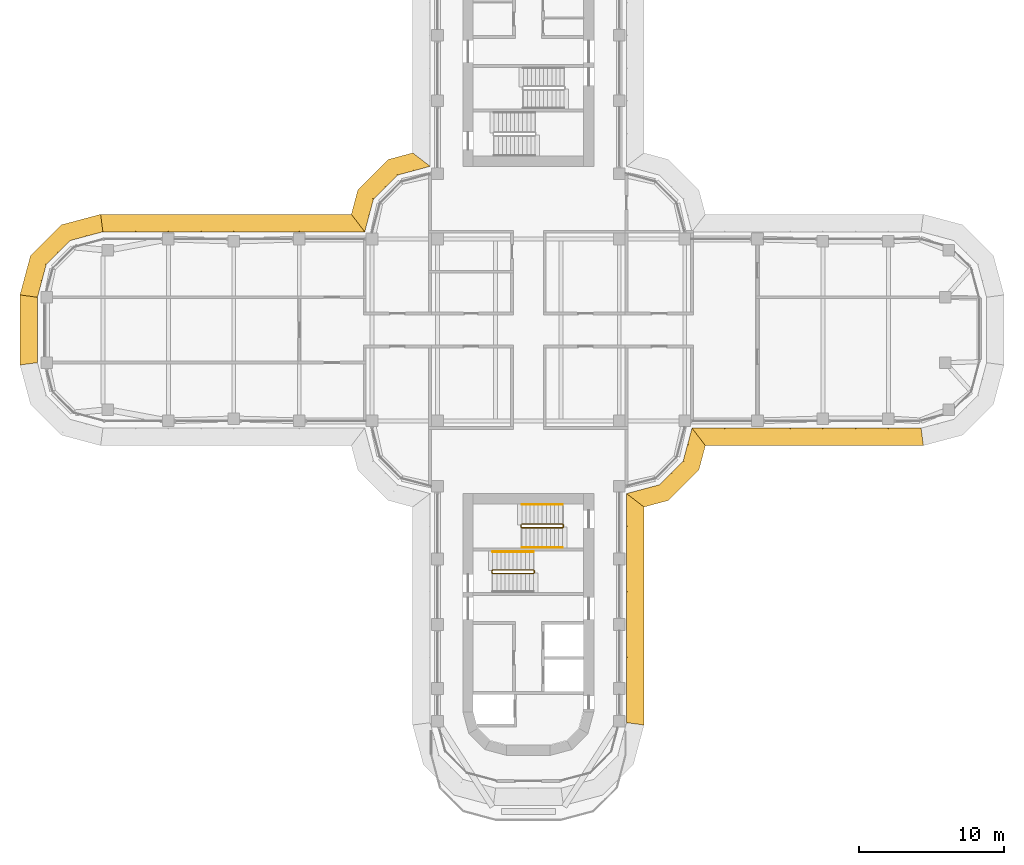
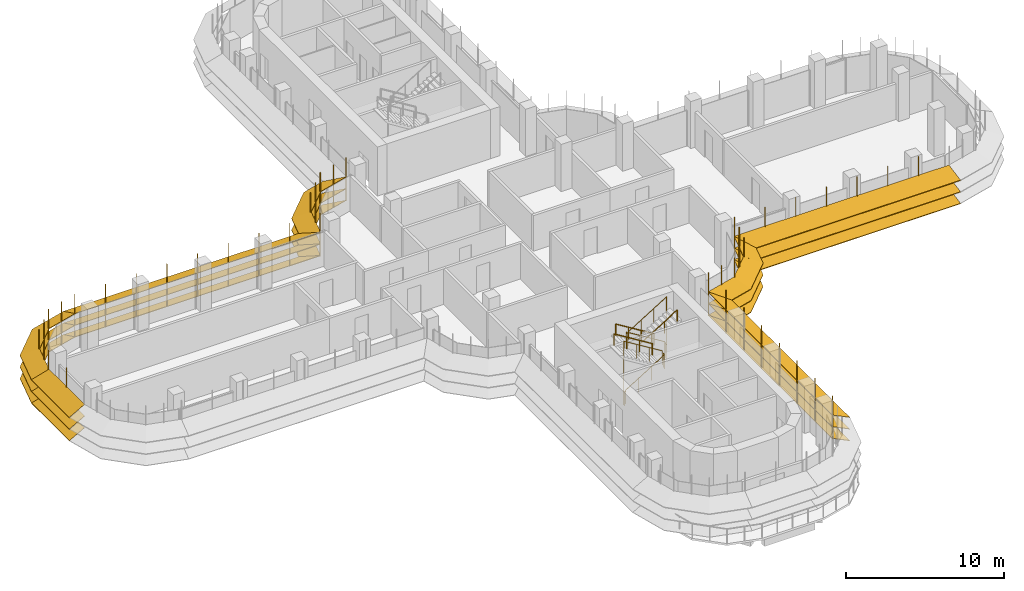
# One storey, part 18 of 20: 7 shading devices, 5 railings.
"""IFC4 building model written with IfcOpenShell, lengths in metres."""

from ifc_helpers import new_model, si_unit, direction, frame, origin, origin_2d, place, context, subcontext, project, spatial, polyline, circle, outline, extrude, faceted_brep, source, transform, mapped, material, type_object, element, save


model = new_model("IFC4")

# Units and contexts
model_context = context("Model", 3, precision=1e-05, world=origin(), true_north=direction((0.0, 1.0)))
body_context = subcontext(model_context, "Body", "Model", "MODEL_VIEW")
ifc_project = project(units=[si_unit("LENGTHUNIT", "METRE"), si_unit("AREAUNIT", "SQUARE_METRE"), si_unit("VOLUMEUNIT", "CUBIC_METRE"), si_unit("PLANEANGLEUNIT", "RADIAN"), si_unit("MASSUNIT", "GRAM", prefix="KILO")], contexts=[model_context])

# Site, building, storey
site_placement = place(None, origin())
site = spatial("IfcSite", under=ifc_project, at=site_placement, CompositionType="ELEMENT")
building_placement = place(site_placement, origin())
building = spatial("IfcBuilding", under=site, at=building_placement, Name="Zarbagh Exchange Tower", CompositionType="ELEMENT")
storey_placement = place(building_placement, frame((0.0, 0.0, 156.199951171875)))
storey = spatial("IfcBuildingStorey", under=building, at=storey_placement, Name="L37", CompositionType="ELEMENT", Elevation=156.199951171875)

# Railings
ifc_material_1 = material(Name="Stainless steel", Category="steel")
railing_type_1 = type_object("IfcRailingType", Name="Stair guard 1100 mm", PredefinedType="GUARDRAIL", material=ifc_material_1)
railing_1_placement = place(storey_placement, frame((0.35009765625, -16.5, 2.07275390625)))
element("IfcRailing", 1, at=railing_1_placement, inside=storey, type_object=railing_type_1, Name="ST3 stair guard 1", PredefinedType="GUARDRAIL", context=body_context, shape_type="SweptSolid", body=[
    extrude(circle(Radius=0.02392578125, at=origin_2d()), frame((0.0, 0.0, 1.076171875), z_axis=(-0.851089632645, 0.0, 0.525020415988), x_axis=(0.0, -1.0, 0.0)), (0.0, 0.0, 1.0), 3.2900390625),
    extrude(circle(Radius=0.02392578125, at=origin_2d()), frame((-2.800048828125, 0.0, 2.80322265625), z_axis=(-0.013168290981, -0.013168290981, -0.999826581076), x_axis=(0.707106781187, -0.707106781187, 0.0)), (0.0, 0.0, 1.0), 3.80078125),
    extrude(circle(Radius=0.02392578125, at=origin_2d()), frame((-2.85009765625, -0.050048828125, -0.99658203125), z_axis=(0.0, -1.0, 0.0), x_axis=(1.0, 0.0, 0.0)), (0.0, 0.0, 1.0), 0.14990234375),
    extrude(circle(Radius=0.02392578125, at=origin_2d()), frame((-2.85009765625, -0.199951171875, -0.99658203125), z_axis=(0.267953482034, -0.267953482034, 0.925419830635), x_axis=(0.707106781187, 0.707106781187, 0.0)), (0.0, 0.0, 1.0), 0.186767578125),
    extrude(circle(Radius=0.02392578125, at=origin_2d()), frame((-2.800048828125, -0.25, -0.82373046875), z_axis=(0.851089632645, 0.0, 0.525020415988), x_axis=(0.0, 1.0, 0.0)), (0.0, 0.0, 1.0), 3.2900390625),
    extrude(circle(Radius=0.02392578125, at=origin_2d()), frame((0.0, -0.25, 0.9033203125), z_axis=(0.705375805398, 0.708833529934, 0.0), x_axis=(-0.708833529934, 0.705375805398, 0.0)), (0.0, 0.0, 1.0), 0.070556640625),
    extrude(circle(Radius=0.02392578125, at=origin_2d()), frame((0.0498046875, -0.199951171875, 0.9033203125), z_axis=(0.0, 1.0, 0.0), x_axis=(-1.0, 0.0, 0.0)), (0.0, 0.0, 1.0), 0.14990234375),
    extrude(circle(Radius=0.02099609375, at=origin_2d()), origin(), (0.0, 0.0, 1.0), 1.052001953125),
    extrude(circle(Radius=0.02099609375, at=origin_2d()), frame((-0.933349609375, 0.0, 0.57568359375)), (0.0, 0.0, 1.0), 1.052001953125),
    extrude(circle(Radius=0.02099609375, at=origin_2d()), frame((-1.86669921875, 0.0, 1.151611328125)), (0.0, 0.0, 1.0), 1.052001953125),
    extrude(circle(Radius=0.02099609375, at=origin_2d()), frame((-2.800048828125, 0.0, 1.727294921875)), (0.0, 0.0, 1.0), 1.052001953125),
    extrude(circle(Radius=0.02099609375, at=origin_2d()), frame((-2.8125, -0.012451171875, 0.77734375)), (0.0, 0.0, 1.0), 1.052001953125),
    extrude(circle(Radius=0.02099609375, at=origin_2d()), frame((-2.8251953125, -0.02490234375, -0.1728515625)), (0.0, 0.0, 1.0), 1.052001953125),
    extrude(circle(Radius=0.02099609375, at=origin_2d()), frame((-2.837646484375, -0.03759765625, -1.122802734375)), (0.0, 0.0, 1.0), 1.052001953125),
    extrude(circle(Radius=0.02099609375, at=origin_2d()), frame((-2.85009765625, -0.050048828125, -2.07275390625)), (0.0, 0.0, 1.0), 1.052001953125),
    extrude(circle(Radius=0.02099609375, at=origin_2d()), frame((-2.85009765625, -0.199951171875, -2.07275390625)), (0.0, 0.0, 1.0), 1.052001953125),
    extrude(circle(Radius=0.02099609375, at=origin_2d()), frame((-2.800048828125, -0.25, -1.89990234375)), (0.0, 0.0, 1.0), 1.052001953125),
    extrude(circle(Radius=0.02099609375, at=origin_2d()), frame((-1.86669921875, -0.25, -1.32421875)), (0.0, 0.0, 1.0), 1.052001953125),
    extrude(circle(Radius=0.02099609375, at=origin_2d()), frame((-0.933349609375, -0.25, -0.748291015625)), (0.0, 0.0, 1.0), 1.052001953125),
    extrude(circle(Radius=0.02099609375, at=origin_2d()), frame((0.0, -0.25, -0.172607421875)), (0.0, 0.0, 1.0), 1.052001953125),
    extrude(circle(Radius=0.02099609375, at=origin_2d()), frame((0.0498046875, -0.199951171875, -0.172607421875)), (0.0, 0.0, 1.0), 1.052001953125),
    extrude(circle(Radius=0.02099609375, at=origin_2d()), frame((0.0498046875, -0.050048828125, -0.172607421875)), (0.0, 0.0, 1.0), 1.052001953125),
])
railing_2_placement = place(storey_placement, frame((-0.5, -13.39990234375, 1.900146484375)))
element("IfcRailing", 2, at=railing_2_placement, inside=storey, type_object=railing_type_1, Name="ST4 stair guard 1", PredefinedType="GUARDRAIL", context=body_context, shape_type="SweptSolid", body=[
    extrude(circle(Radius=0.02392578125, at=origin_2d()), frame((0.0, 0.0, 1.076171875), z_axis=(0.0, -1.0, 0.0), x_axis=(1.0, 0.0, 0.0)), (0.0, 0.0, 1.0), 0.150146484375),
    extrude(circle(Radius=0.02392578125, at=origin_2d()), frame((0.0, -0.150146484375, 1.076171875), z_axis=(0.268277960024, -0.268277960024, 0.925231793839), x_axis=(0.707106781187, 0.707106781187, 0.0)), (0.0, 0.0, 1.0), 0.1865234375),
    extrude(circle(Radius=0.02392578125, at=origin_2d()), frame((0.050048828125, -0.2001953125, 1.24853515625), z_axis=(0.851089632645, 0.0, 0.525020415988), x_axis=(0.0, 1.0, 0.0)), (0.0, 0.0, 1.0), 3.2900390625),
    extrude(circle(Radius=0.02392578125, at=origin_2d()), frame((2.85009765625, -0.2001953125, 2.97607421875), z_axis=(0.013104066473, 0.013168302093, -0.99982742474), x_axis=(-0.708833529934, 0.705375805398, 0.0)), (0.0, 0.0, 1.0), 3.80078125),
    extrude(circle(Radius=0.02392578125, at=origin_2d()), frame((2.89990234375, -0.150146484375, -0.82421875), z_axis=(0.0, 1.0, 0.0), x_axis=(-1.0, 0.0, 0.0)), (0.0, 0.0, 1.0), 0.150146484375),
    extrude(circle(Radius=0.02392578125, at=origin_2d()), frame((2.89990234375, 0.0, -0.82421875), z_axis=(-0.266832911964, 0.266832911964, 0.926067165051), x_axis=(-0.707106781187, -0.707106781187, 0.0)), (0.0, 0.0, 1.0), 0.186767578125),
    extrude(circle(Radius=0.02392578125, at=origin_2d()), frame((2.85009765625, 0.0498046875, -0.6513671875), z_axis=(-0.851089632645, 0.0, 0.525020415988), x_axis=(0.0, -1.0, 0.0)), (0.0, 0.0, 1.0), 3.2900390625),
    extrude(circle(Radius=0.02099609375, at=origin_2d()), origin(), (0.0, 0.0, 1.0), 1.052001953125),
    extrude(circle(Radius=0.02099609375, at=origin_2d()), frame((0.0, -0.150146484375, 0.0)), (0.0, 0.0, 1.0), 1.052001953125),
    extrude(circle(Radius=0.02099609375, at=origin_2d()), frame((0.050048828125, -0.2001953125, 0.172607421875)), (0.0, 0.0, 1.0), 1.052001953125),
    extrude(circle(Radius=0.02099609375, at=origin_2d()), frame((0.9833984375, -0.2001953125, 0.748291015625)), (0.0, 0.0, 1.0), 1.052001953125),
    extrude(circle(Radius=0.02099609375, at=origin_2d()), frame((1.916748046875, -0.2001953125, 1.32421875)), (0.0, 0.0, 1.0), 1.052001953125),
    extrude(circle(Radius=0.02099609375, at=origin_2d()), frame((2.85009765625, -0.2001953125, 1.89990234375)), (0.0, 0.0, 1.0), 1.052001953125),
    extrude(circle(Radius=0.02099609375, at=origin_2d()), frame((2.862548828125, -0.187744140625, 0.949951171875)), (0.0, 0.0, 1.0), 1.052001953125),
    extrude(circle(Radius=0.02099609375, at=origin_2d()), frame((2.875, -0.17529296875, 0.0)), (0.0, 0.0, 1.0), 1.052001953125),
    extrude(circle(Radius=0.02099609375, at=origin_2d()), frame((2.887451171875, -0.16259765625, -0.9501953125)), (0.0, 0.0, 1.0), 1.052001953125),
    extrude(circle(Radius=0.02099609375, at=origin_2d()), frame((2.89990234375, -0.150146484375, -1.900146484375)), (0.0, 0.0, 1.0), 1.052001953125),
    extrude(circle(Radius=0.02099609375, at=origin_2d()), frame((2.89990234375, 0.0, -1.900146484375)), (0.0, 0.0, 1.0), 1.052001953125),
    extrude(circle(Radius=0.02099609375, at=origin_2d()), frame((2.85009765625, 0.0498046875, -1.727294921875)), (0.0, 0.0, 1.0), 1.052001953125),
    extrude(circle(Radius=0.02099609375, at=origin_2d()), frame((1.916748046875, 0.0498046875, -1.151611328125)), (0.0, 0.0, 1.0), 1.052001953125),
    extrude(circle(Radius=0.02099609375, at=origin_2d()), frame((0.9833984375, 0.0498046875, -0.57568359375)), (0.0, 0.0, 1.0), 1.052001953125),
    extrude(circle(Radius=0.02099609375, at=origin_2d()), frame((0.050048828125, 0.0498046875, 0.0)), (0.0, 0.0, 1.0), 1.052001953125),
])
railing_type_2 = type_object("IfcRailingType", Name="Stair handrail 900 mm", PredefinedType="HANDRAIL", material=ifc_material_1)
for number, where, name in (
    (3, (0.35009765625, -15.25, 2.07275390625), "ST3 stair handrail 2"),
    (4, (2.35009765625, -12.0, 0.1728515625), "ST4 stair handrail 1"),
):
    element("IfcRailing", number, at=place(storey_placement, frame(where)), inside=storey, type_object=railing_type_2, Name=name, PredefinedType="HANDRAIL", context=body_context, shape_type="SweptSolid", body=[
        extrude(circle(Radius=0.02392578125, at=origin_2d()), frame((0.0, 0.0, 0.8759765625), z_axis=(-0.851089632645, 0.0, 0.525020415988), x_axis=(0.0, -1.0, 0.0)), (0.0, 0.0, 1.0), 3.2900390625),
        extrude(circle(Radius=0.02099609375, at=origin_2d()), origin(), (0.0, 0.0, 1.0), 0.851806640625),
        extrude(circle(Radius=0.02099609375, at=origin_2d()), frame((-0.933349609375, 0.0, 0.57568359375)), (0.0, 0.0, 1.0), 0.851806640625),
        extrude(circle(Radius=0.02099609375, at=origin_2d()), frame((-1.86669921875, 0.0, 1.151611328125)), (0.0, 0.0, 1.0), 0.851806640625),
        extrude(circle(Radius=0.02099609375, at=origin_2d()), frame((-2.800048828125, 0.0, 1.727294921875)), (0.0, 0.0, 1.0), 0.851806640625),
    ])
railing_3_placement = place(storey_placement, frame((-0.449951171875, -14.949951171875, 2.07275390625)))
element("IfcRailing", 5, at=railing_3_placement, inside=storey, type_object=railing_type_2, Name="ST4 stair handrail 2", PredefinedType="HANDRAIL", context=body_context, shape_type="SweptSolid", body=[
    extrude(circle(Radius=0.02392578125, at=origin_2d()), frame((0.0, 0.0, 0.8759765625), z_axis=(0.851089632645, 0.0, 0.525020415988), x_axis=(0.0, 1.0, 0.0)), (0.0, 0.0, 1.0), 3.2900390625),
    extrude(circle(Radius=0.02099609375, at=origin_2d()), origin(), (0.0, 0.0, 1.0), 0.851806640625),
    extrude(circle(Radius=0.02099609375, at=origin_2d()), frame((0.933349609375, 0.0, 0.57568359375)), (0.0, 0.0, 1.0), 0.851806640625),
    extrude(circle(Radius=0.02099609375, at=origin_2d()), frame((1.86669921875, 0.0, 1.151611328125)), (0.0, 0.0, 1.0), 0.851806640625),
    extrude(circle(Radius=0.02099609375, at=origin_2d()), frame((2.800048828125, 0.0, 1.727294921875)), (0.0, 0.0, 1.0), 0.851806640625),
])

# Shading devices
ifc_material_2 = material(Name="Anodised aluminium blades and brackets", Category="aluminium")
shading_device_type = type_object("IfcShadingDeviceType", Name="SUNSHADE louvre band, 22.5 degree blades", PredefinedType="JALOUSIE", material=ifc_material_2)
shared_shape_1 = source(origin(), body_context, "Body", "Brep", [
    faceted_brep([(0.0, 0.0, 0.0), (0.0, 0.0, -0.043212890625), (-0.157958984375, -1.199951171875, -0.540283203125), (-0.157958984375, -1.199951171875, -0.4970703125), (2.65087890625, -1.199951171875, -0.4970703125), (2.65087890625, -1.199951171875, -0.540283203125), (2.329345703125, 0.0, -0.043212890625), (2.329345703125, 0.0, 0.0)], [[[0, 1, 2, 3]], [[4, 5, 6, 7]], [[0, 7, 6, 1]], [[1, 6, 5, 2]], [[2, 5, 4, 3]], [[3, 4, 7, 0]]]),
])
shared_shape_2 = source(origin(), body_context, "Body", "Brep", [
    faceted_brep([(0.0, 0.0, 0.0), (0.0, 0.0, -0.043212890625), (-0.321533203125, -1.199951171875, -0.540283203125), (-0.321533203125, -1.199951171875, -0.4970703125), (2.65087890625, -1.199951171875, -0.4970703125), (2.65087890625, -1.199951171875, -0.540283203125), (2.329345703125, 0.0, -0.043212890625), (2.329345703125, 0.0, 0.0)], [[[0, 1, 2, 3]], [[4, 5, 6, 7]], [[0, 7, 6, 1]], [[1, 6, 5, 2]], [[2, 5, 4, 3]], [[3, 4, 7, 0]]]),
])
shared_shape_3 = source(origin(), body_context, "Body", "Brep", [
    faceted_brep([(0.0, 0.0, 0.0), (0.0, 0.0, -0.043212890625), (-0.321533203125, -1.199951171875, -0.540283203125), (-0.321533203125, -1.199951171875, -0.4970703125), (2.4873046875, -1.199951171875, -0.4970703125), (2.4873046875, -1.199951171875, -0.540283203125), (2.329345703125, 0.0, -0.043212890625), (2.329345703125, 0.0, 0.0)], [[[0, 1, 2, 3]], [[4, 5, 6, 7]], [[0, 7, 6, 1]], [[1, 6, 5, 2]], [[2, 5, 4, 3]], [[3, 4, 7, 0]]]),
])
shared_shape_4 = source(origin(), body_context, "Body", "SweptSolid", [
    extrude(outline(polyline([(0.0, -0.012451171875), (0.06005859375, -0.012451171875), (0.06005859375, 0.012451171875), (0.0, 0.012451171875), (0.0, -0.012451171875)])), origin(), (0.0, 0.0, 1.0), 3.353271484375),
])
placement = place(storey_placement, origin())
element("IfcShadingDevice", 6, at=placement, inside=storey, type_object=shading_device_type, Name="SS17 sunshade band", PredefinedType="JALOUSIE", context=body_context, shape_type="MappedRepresentation", body=[
    mapped(shared_shape_1, transform((-29.25, 6.75, 2.300048828125), x_axis=(-0.965924289636, -0.258824779902, 0.0), y_axis=(0.258824779902, -0.965924289636, 0.0), z_axis=(0.0, 0.0, 1.0))),
    mapped(shared_shape_1, transform((-29.25, 6.75, 1.400146484375), x_axis=(-0.965924289636, -0.258824779902, 0.0), y_axis=(0.258824779902, -0.965924289636, 0.0), z_axis=(0.0, 0.0, 1.0))),
    mapped(shared_shape_1, transform((-29.25, 6.75, 0.5), x_axis=(-0.965924289636, -0.258824779902, 0.0), y_axis=(0.258824779902, -0.965924289636, 0.0), z_axis=(0.0, 0.0, 1.0))),
    mapped(shared_shape_2, transform((-31.5, 6.147216796875, 2.300048828125), x_axis=(-0.707106781187, -0.707106781187, 0.0), y_axis=(0.707106781187, -0.707106781187, 0.0), z_axis=(0.0, 0.0, 1.0))),
    mapped(shared_shape_2, transform((-31.5, 6.147216796875, 1.400146484375), x_axis=(-0.707106781187, -0.707106781187, 0.0), y_axis=(0.707106781187, -0.707106781187, 0.0), z_axis=(0.0, 0.0, 1.0))),
    mapped(shared_shape_2, transform((-31.5, 6.147216796875, 0.5), x_axis=(-0.707106781187, -0.707106781187, 0.0), y_axis=(0.707106781187, -0.707106781187, 0.0), z_axis=(0.0, 0.0, 1.0))),
    mapped(shared_shape_3, transform((-33.147216796875, 4.5, 2.300048828125), x_axis=(-0.258824779902, -0.965924289636, 0.0), y_axis=(0.965924289636, -0.258824779902, 0.0), z_axis=(0.0, 0.0, 1.0))),
    mapped(shared_shape_3, transform((-33.147216796875, 4.5, 1.400146484375), x_axis=(-0.258824779902, -0.965924289636, 0.0), y_axis=(0.965924289636, -0.258824779902, 0.0), z_axis=(0.0, 0.0, 1.0))),
    mapped(shared_shape_3, transform((-33.147216796875, 4.5, 0.5), x_axis=(-0.258824779902, -0.965924289636, 0.0), y_axis=(0.965924289636, -0.258824779902, 0.0), z_axis=(0.0, 0.0, 1.0))),
    mapped(shared_shape_4, transform((-29.25, 6.75, 0.4267578125), x_axis=(-0.130529263012, 0.991444457092, 0.0), y_axis=(-0.991444457092, -0.130529263012, 0.0), z_axis=(0.0, 0.0, 1.0))),
    mapped(shared_shape_4, transform((-30.375, 6.448486328125, 0.4267578125), x_axis=(-0.258825058029, 0.96592421511, 0.0), y_axis=(-0.96592421511, -0.258825058029, 0.0), z_axis=(0.0, 0.0, 1.0))),
    mapped(shared_shape_4, transform((-31.5, 6.147216796875, 0.4267578125), x_axis=(-0.50000275701, 0.866023812018, 0.0), y_axis=(-0.866023812018, -0.50000275701, 0.0), z_axis=(0.0, 0.0, 1.0))),
    mapped(shared_shape_4, transform((-32.323486328125, 5.323486328125, 0.4267578125), x_axis=(-0.707106781187, 0.707106781187, 0.0), y_axis=(-0.707106781187, -0.707106781187, 0.0), z_axis=(0.0, 0.0, 1.0))),
    mapped(shared_shape_4, transform((-33.147216796875, 4.5, 0.4267578125), x_axis=(-0.866023812018, 0.50000275701, 0.0), y_axis=(-0.50000275701, -0.866023812018, 0.0), z_axis=(0.0, 0.0, 1.0))),
    mapped(shared_shape_4, transform((-33.448486328125, 3.375, 0.4267578125), x_axis=(-0.96592421511, 0.258825058029, 0.0), y_axis=(-0.258825058029, -0.96592421511, 0.0), z_axis=(0.0, 0.0, 1.0))),
])
shared_shape_5 = source(origin(), body_context, "Body", "Brep", [
    faceted_brep([(0.0, 0.0, 0.0), (0.0, 0.0, -0.043212890625), (0.9208984375, -1.199951171875, -0.540283203125), (0.9208984375, -1.199951171875, -0.4970703125), (2.65087890625, -1.199951171875, -0.4970703125), (2.65087890625, -1.199951171875, -0.540283203125), (2.329345703125, 0.0, -0.043212890625), (2.329345703125, 0.0, 0.0)], [[[0, 1, 2, 3]], [[4, 5, 6, 7]], [[0, 7, 6, 1]], [[1, 6, 5, 2]], [[2, 5, 4, 3]], [[3, 4, 7, 0]]]),
])
shared_shape_6 = source(origin(), body_context, "Body", "Brep", [
    faceted_brep([(0.0, 0.0, 0.0), (0.0, 0.0, -0.043212890625), (-0.321533203125, -1.199951171875, -0.540283203125), (-0.321533203125, -1.199951171875, -0.4970703125), (1.40869140625, -1.199951171875, -0.4970703125), (1.40869140625, -1.199951171875, -0.540283203125), (2.329345703125, 0.0, -0.043212890625), (2.329345703125, 0.0, 0.0)], [[[0, 1, 2, 3]], [[4, 5, 6, 7]], [[0, 7, 6, 1]], [[1, 6, 5, 2]], [[2, 5, 4, 3]], [[3, 4, 7, 0]]]),
])
element("IfcShadingDevice", 7, at=placement, inside=storey, type_object=shading_device_type, Name="SS03 sunshade band", PredefinedType="JALOUSIE", context=body_context, shape_type="MappedRepresentation", body=[
    mapped(shared_shape_5, transform((6.75, -11.25, 2.300048828125), x_axis=(0.965924289636, 0.258824779902, 0.0), y_axis=(-0.258824779902, 0.965924289636, 0.0), z_axis=(0.0, 0.0, 1.0))),
    mapped(shared_shape_5, transform((6.75, -11.25, 1.400146484375), x_axis=(0.965924289636, 0.258824779902, 0.0), y_axis=(-0.258824779902, 0.965924289636, 0.0), z_axis=(0.0, 0.0, 1.0))),
    mapped(shared_shape_5, transform((6.75, -11.25, 0.5), x_axis=(0.965924289636, 0.258824779902, 0.0), y_axis=(-0.258824779902, 0.965924289636, 0.0), z_axis=(0.0, 0.0, 1.0))),
    mapped(shared_shape_2, transform((9.0, -10.647216796875, 2.300048828125), x_axis=(0.707106781187, 0.707106781187, 0.0), y_axis=(-0.707106781187, 0.707106781187, 0.0), z_axis=(0.0, 0.0, 1.0))),
    mapped(shared_shape_2, transform((9.0, -10.647216796875, 1.400146484375), x_axis=(0.707106781187, 0.707106781187, 0.0), y_axis=(-0.707106781187, 0.707106781187, 0.0), z_axis=(0.0, 0.0, 1.0))),
    mapped(shared_shape_2, transform((9.0, -10.647216796875, 0.5), x_axis=(0.707106781187, 0.707106781187, 0.0), y_axis=(-0.707106781187, 0.707106781187, 0.0), z_axis=(0.0, 0.0, 1.0))),
    mapped(shared_shape_6, transform((10.647216796875, -9.0, 2.300048828125), x_axis=(0.258824779902, 0.965924289636, 0.0), y_axis=(-0.965924289636, 0.258824779902, 0.0), z_axis=(0.0, 0.0, 1.0))),
    mapped(shared_shape_6, transform((10.647216796875, -9.0, 1.400146484375), x_axis=(0.258824779902, 0.965924289636, 0.0), y_axis=(-0.965924289636, 0.258824779902, 0.0), z_axis=(0.0, 0.0, 1.0))),
    mapped(shared_shape_6, transform((10.647216796875, -9.0, 0.5), x_axis=(0.258824779902, 0.965924289636, 0.0), y_axis=(-0.965924289636, 0.258824779902, 0.0), z_axis=(0.0, 0.0, 1.0))),
    mapped(shared_shape_4, transform((6.75, -11.25, 0.4267578125), x_axis=(0.793355287, -0.608758892, 0.0), y_axis=(0.608758892, 0.793355287, 0.0), z_axis=(0.0, 0.0, 1.0))),
    mapped(shared_shape_4, transform((7.875, -10.948486328125, 0.4267578125), x_axis=(0.258825058029, -0.96592421511, 0.0), y_axis=(0.96592421511, 0.258825058029, 0.0), z_axis=(0.0, 0.0, 1.0))),
    mapped(shared_shape_4, transform((9.0, -10.647216796875, 0.4267578125), x_axis=(0.50000275701, -0.866023812018, 0.0), y_axis=(0.866023812018, 0.50000275701, 0.0), z_axis=(0.0, 0.0, 1.0))),
    mapped(shared_shape_4, transform((9.823486328125, -9.823486328125, 0.4267578125), x_axis=(0.707106781187, -0.707106781187, 0.0), y_axis=(0.707106781187, 0.707106781187, 0.0), z_axis=(0.0, 0.0, 1.0))),
    mapped(shared_shape_4, transform((10.647216796875, -9.0, 0.4267578125), x_axis=(0.866023812018, -0.50000275701, 0.0), y_axis=(0.50000275701, 0.866023812018, 0.0), z_axis=(0.0, 0.0, 1.0))),
    mapped(shared_shape_4, transform((10.948486328125, -7.875, 0.4267578125), x_axis=(0.96592421511, -0.258825058029, 0.0), y_axis=(0.258825058029, 0.96592421511, 0.0), z_axis=(0.0, 0.0, 1.0))),
])
element("IfcShadingDevice", 8, at=placement, inside=storey, type_object=shading_device_type, Name="SS15 sunshade band", PredefinedType="JALOUSIE", context=body_context, shape_type="MappedRepresentation", body=[
    mapped(shared_shape_5, transform((-6.75, 11.25, 2.300048828125), x_axis=(-0.965924289636, -0.258824779902, 0.0), y_axis=(0.258824779902, -0.965924289636, 0.0), z_axis=(0.0, 0.0, 1.0))),
    mapped(shared_shape_5, transform((-6.75, 11.25, 1.400146484375), x_axis=(-0.965924289636, -0.258824779902, 0.0), y_axis=(0.258824779902, -0.965924289636, 0.0), z_axis=(0.0, 0.0, 1.0))),
    mapped(shared_shape_5, transform((-6.75, 11.25, 0.5), x_axis=(-0.965924289636, -0.258824779902, 0.0), y_axis=(0.258824779902, -0.965924289636, 0.0), z_axis=(0.0, 0.0, 1.0))),
    mapped(shared_shape_2, transform((-9.0, 10.647216796875, 2.300048828125), x_axis=(-0.707106781187, -0.707106781187, 0.0), y_axis=(0.707106781187, -0.707106781187, 0.0), z_axis=(0.0, 0.0, 1.0))),
    mapped(shared_shape_2, transform((-9.0, 10.647216796875, 1.400146484375), x_axis=(-0.707106781187, -0.707106781187, 0.0), y_axis=(0.707106781187, -0.707106781187, 0.0), z_axis=(0.0, 0.0, 1.0))),
    mapped(shared_shape_2, transform((-9.0, 10.647216796875, 0.5), x_axis=(-0.707106781187, -0.707106781187, 0.0), y_axis=(0.707106781187, -0.707106781187, 0.0), z_axis=(0.0, 0.0, 1.0))),
    mapped(shared_shape_6, transform((-10.647216796875, 9.0, 2.300048828125), x_axis=(-0.258824779902, -0.965924289636, 0.0), y_axis=(0.965924289636, -0.258824779902, 0.0), z_axis=(0.0, 0.0, 1.0))),
    mapped(shared_shape_6, transform((-10.647216796875, 9.0, 1.400146484375), x_axis=(-0.258824779902, -0.965924289636, 0.0), y_axis=(0.965924289636, -0.258824779902, 0.0), z_axis=(0.0, 0.0, 1.0))),
    mapped(shared_shape_6, transform((-10.647216796875, 9.0, 0.5), x_axis=(-0.258824779902, -0.965924289636, 0.0), y_axis=(0.965924289636, -0.258824779902, 0.0), z_axis=(0.0, 0.0, 1.0))),
    mapped(shared_shape_4, transform((-6.75, 11.25, 0.4267578125), x_axis=(-0.793355287, 0.608758892, 0.0), y_axis=(-0.608758892, -0.793355287, 0.0), z_axis=(0.0, 0.0, 1.0))),
    mapped(shared_shape_4, transform((-7.875, 10.948486328125, 0.4267578125), x_axis=(-0.258825058029, 0.96592421511, 0.0), y_axis=(-0.96592421511, -0.258825058029, 0.0), z_axis=(0.0, 0.0, 1.0))),
    mapped(shared_shape_4, transform((-9.0, 10.647216796875, 0.4267578125), x_axis=(-0.50000275701, 0.866023812018, 0.0), y_axis=(-0.866023812018, -0.50000275701, 0.0), z_axis=(0.0, 0.0, 1.0))),
    mapped(shared_shape_4, transform((-9.823486328125, 9.823486328125, 0.4267578125), x_axis=(-0.707106781187, 0.707106781187, 0.0), y_axis=(-0.707106781187, -0.707106781187, 0.0), z_axis=(0.0, 0.0, 1.0))),
    mapped(shared_shape_4, transform((-10.647216796875, 9.0, 0.4267578125), x_axis=(-0.866023812018, 0.50000275701, 0.0), y_axis=(-0.50000275701, -0.866023812018, 0.0), z_axis=(0.0, 0.0, 1.0))),
    mapped(shared_shape_4, transform((-10.948486328125, 7.875, 0.4267578125), x_axis=(-0.96592421511, 0.258825058029, 0.0), y_axis=(-0.258825058029, -0.96592421511, 0.0), z_axis=(0.0, 0.0, 1.0))),
])
shared_shape_7 = source(origin(), body_context, "Body", "Brep", [
    faceted_brep([(0.0, 0.0, 0.0), (0.0, 0.0, -0.043212890625), (-0.157958984375, -1.199951171875, -0.540283203125), (-0.157958984375, -1.199951171875, -0.4970703125), (14.8291015625, -1.199951171875, -0.4970703125), (14.8291015625, -1.199951171875, -0.540283203125), (15.75, 0.0, -0.043212890625), (15.75, 0.0, 0.0)], [[[0, 1, 2, 3]], [[4, 5, 6, 7]], [[0, 7, 6, 1]], [[1, 6, 5, 2]], [[2, 5, 4, 3]], [[3, 4, 7, 0]]]),
])
element("IfcShadingDevice", 9, at=placement, inside=storey, type_object=shading_device_type, Name="SS36 sunshade band", PredefinedType="JALOUSIE", context=body_context, shape_type="MappedRepresentation", body=[
    mapped(shared_shape_7, transform((6.75, -27.0, 2.300048828125), x_axis=(0.0, 1.0, 0.0), y_axis=(-1.0, 0.0, 0.0), z_axis=(0.0, 0.0, 1.0))),
    mapped(shared_shape_7, transform((6.75, -27.0, 1.400146484375), x_axis=(0.0, 1.0, 0.0), y_axis=(-1.0, 0.0, 0.0), z_axis=(0.0, 0.0, 1.0))),
    mapped(shared_shape_7, transform((6.75, -27.0, 0.5), x_axis=(0.0, 1.0, 0.0), y_axis=(-1.0, 0.0, 0.0), z_axis=(0.0, 0.0, 1.0))),
    mapped(shared_shape_4, transform((6.75, -27.0, 0.4267578125), x_axis=(0.991444457092, -0.130529263012, 0.0), y_axis=(0.130529263012, 0.991444457092, 0.0), z_axis=(0.0, 0.0, 1.0))),
    mapped(shared_shape_4, transform((6.75, -24.75, 0.4267578125), x_axis=(1.0, 0.0, 0.0), y_axis=(0.0, 1.0, 0.0), z_axis=(0.0, 0.0, 1.0))),
    mapped(shared_shape_4, transform((6.75, -22.5, 0.4267578125), x_axis=(1.0, 0.0, 0.0), y_axis=(0.0, 1.0, 0.0), z_axis=(0.0, 0.0, 1.0))),
    mapped(shared_shape_4, transform((6.75, -20.25, 0.4267578125), x_axis=(1.0, 0.0, 0.0), y_axis=(0.0, 1.0, 0.0), z_axis=(0.0, 0.0, 1.0))),
    mapped(shared_shape_4, transform((6.75, -18.0, 0.4267578125), x_axis=(1.0, 0.0, 0.0), y_axis=(0.0, 1.0, 0.0), z_axis=(0.0, 0.0, 1.0))),
    mapped(shared_shape_4, transform((6.75, -15.75, 0.4267578125), x_axis=(1.0, 0.0, 0.0), y_axis=(0.0, 1.0, 0.0), z_axis=(0.0, 0.0, 1.0))),
    mapped(shared_shape_4, transform((6.75, -13.5, 0.4267578125), x_axis=(1.0, 0.0, 0.0), y_axis=(0.0, 1.0, 0.0), z_axis=(0.0, 0.0, 1.0))),
])
shared_shape_8 = source(origin(), body_context, "Body", "Brep", [
    faceted_brep([(0.0, 0.0, 0.0), (0.0, 0.0, -0.043212890625), (0.9208984375, -1.199951171875, -0.540283203125), (0.9208984375, -1.199951171875, -0.4970703125), (15.907958984375, -1.199951171875, -0.4970703125), (15.907958984375, -1.199951171875, -0.540283203125), (15.75, 0.0, -0.043212890625), (15.75, 0.0, 0.0)], [[[0, 1, 2, 3]], [[4, 5, 6, 7]], [[0, 7, 6, 1]], [[1, 6, 5, 2]], [[2, 5, 4, 3]], [[3, 4, 7, 0]]]),
])
element("IfcShadingDevice", 10, at=placement, inside=storey, type_object=shading_device_type, Name="SS30 sunshade band", PredefinedType="JALOUSIE", context=body_context, shape_type="MappedRepresentation", body=[
    mapped(shared_shape_8, transform((11.25, -6.75, 2.300048828125), x_axis=(1.0, 0.0, 0.0), y_axis=(0.0, 1.0, 0.0), z_axis=(0.0, 0.0, 1.0))),
    mapped(shared_shape_8, transform((11.25, -6.75, 1.400146484375), x_axis=(1.0, 0.0, 0.0), y_axis=(0.0, 1.0, 0.0), z_axis=(0.0, 0.0, 1.0))),
    mapped(shared_shape_8, transform((11.25, -6.75, 0.5), x_axis=(1.0, 0.0, 0.0), y_axis=(0.0, 1.0, 0.0), z_axis=(0.0, 0.0, 1.0))),
    mapped(shared_shape_4, transform((11.25, -6.75, 0.4267578125), x_axis=(0.608758892, -0.793355287, 0.0), y_axis=(0.793355287, 0.608758892, 0.0), z_axis=(0.0, 0.0, 1.0))),
    mapped(shared_shape_4, transform((13.5, -6.75, 0.4267578125), x_axis=(0.0, -1.0, 0.0), y_axis=(1.0, 0.0, 0.0), z_axis=(0.0, 0.0, 1.0))),
    mapped(shared_shape_4, transform((15.75, -6.75, 0.4267578125), x_axis=(0.0, -1.0, 0.0), y_axis=(1.0, 0.0, 0.0), z_axis=(0.0, 0.0, 1.0))),
    mapped(shared_shape_4, transform((18.0, -6.75, 0.4267578125), x_axis=(0.0, -1.0, 0.0), y_axis=(1.0, 0.0, 0.0), z_axis=(0.0, 0.0, 1.0))),
    mapped(shared_shape_4, transform((20.25, -6.75, 0.4267578125), x_axis=(0.0, -1.0, 0.0), y_axis=(1.0, 0.0, 0.0), z_axis=(0.0, 0.0, 1.0))),
    mapped(shared_shape_4, transform((22.5, -6.75, 0.4267578125), x_axis=(0.0, -1.0, 0.0), y_axis=(1.0, 0.0, 0.0), z_axis=(0.0, 0.0, 1.0))),
    mapped(shared_shape_4, transform((24.75, -6.75, 0.4267578125), x_axis=(0.0, -1.0, 0.0), y_axis=(1.0, 0.0, 0.0), z_axis=(0.0, 0.0, 1.0))),
])
shared_shape_9 = source(origin(), body_context, "Body", "Brep", [
    faceted_brep([(0.0, 0.0, 0.0), (0.0, 0.0, -0.043212890625), (0.9208984375, -1.199951171875, -0.540283203125), (0.9208984375, -1.199951171875, -0.4970703125), (18.157958984375, -1.199951171875, -0.4970703125), (18.157958984375, -1.199951171875, -0.540283203125), (18.0, 0.0, -0.043212890625), (18.0, 0.0, 0.0)], [[[0, 1, 2, 3]], [[4, 5, 6, 7]], [[0, 7, 6, 1]], [[1, 6, 5, 2]], [[2, 5, 4, 3]], [[3, 4, 7, 0]]]),
])
element("IfcShadingDevice", 11, at=placement, inside=storey, type_object=shading_device_type, Name="SS16 sunshade band", PredefinedType="JALOUSIE", context=body_context, shape_type="MappedRepresentation", body=[
    mapped(shared_shape_9, transform((-11.25, 6.75, 2.300048828125), x_axis=(-1.0, 0.0, 0.0), y_axis=(0.0, -1.0, 0.0), z_axis=(0.0, 0.0, 1.0))),
    mapped(shared_shape_9, transform((-11.25, 6.75, 1.400146484375), x_axis=(-1.0, 0.0, 0.0), y_axis=(0.0, -1.0, 0.0), z_axis=(0.0, 0.0, 1.0))),
    mapped(shared_shape_9, transform((-11.25, 6.75, 0.5), x_axis=(-1.0, 0.0, 0.0), y_axis=(0.0, -1.0, 0.0), z_axis=(0.0, 0.0, 1.0))),
    mapped(shared_shape_4, transform((-11.25, 6.75, 0.4267578125), x_axis=(-0.608758892, 0.793355287, 0.0), y_axis=(-0.793355287, -0.608758892, 0.0), z_axis=(0.0, 0.0, 1.0))),
    mapped(shared_shape_4, transform((-13.5, 6.75, 0.4267578125), x_axis=(0.0, 1.0, 0.0), y_axis=(-1.0, 0.0, 0.0), z_axis=(0.0, 0.0, 1.0))),
    mapped(shared_shape_4, transform((-15.75, 6.75, 0.4267578125), x_axis=(0.0, 1.0, 0.0), y_axis=(-1.0, 0.0, 0.0), z_axis=(0.0, 0.0, 1.0))),
    mapped(shared_shape_4, transform((-18.0, 6.75, 0.4267578125), x_axis=(0.0, 1.0, 0.0), y_axis=(-1.0, 0.0, 0.0), z_axis=(0.0, 0.0, 1.0))),
    mapped(shared_shape_4, transform((-20.25, 6.75, 0.4267578125), x_axis=(0.0, 1.0, 0.0), y_axis=(-1.0, 0.0, 0.0), z_axis=(0.0, 0.0, 1.0))),
    mapped(shared_shape_4, transform((-22.5, 6.75, 0.4267578125), x_axis=(0.0, 1.0, 0.0), y_axis=(-1.0, 0.0, 0.0), z_axis=(0.0, 0.0, 1.0))),
    mapped(shared_shape_4, transform((-24.75, 6.75, 0.4267578125), x_axis=(0.0, 1.0, 0.0), y_axis=(-1.0, 0.0, 0.0), z_axis=(0.0, 0.0, 1.0))),
    mapped(shared_shape_4, transform((-27.0, 6.75, 0.4267578125), x_axis=(0.0, 1.0, 0.0), y_axis=(-1.0, 0.0, 0.0), z_axis=(0.0, 0.0, 1.0))),
])
shared_shape_10 = source(origin(), body_context, "Body", "Brep", [
    faceted_brep([(0.0, 0.0, 0.0), (0.0, 0.0, -0.043212890625), (-0.157958984375, -1.199951171875, -0.540283203125), (-0.157958984375, -1.199951171875, -0.4970703125), (4.657958984375, -1.199951171875, -0.4970703125), (4.657958984375, -1.199951171875, -0.540283203125), (4.5, 0.0, -0.043212890625), (4.5, 0.0, 0.0)], [[[0, 1, 2, 3]], [[4, 5, 6, 7]], [[0, 7, 6, 1]], [[1, 6, 5, 2]], [[2, 5, 4, 3]], [[3, 4, 7, 0]]]),
])
element("IfcShadingDevice", 12, at=placement, inside=storey, type_object=shading_device_type, Name="SS18 sunshade band", PredefinedType="JALOUSIE", context=body_context, shape_type="MappedRepresentation", body=[
    mapped(shared_shape_10, transform((-33.75, 2.25, 2.300048828125), x_axis=(0.0, -1.0, 0.0), y_axis=(1.0, 0.0, 0.0), z_axis=(0.0, 0.0, 1.0))),
    mapped(shared_shape_10, transform((-33.75, 2.25, 1.400146484375), x_axis=(0.0, -1.0, 0.0), y_axis=(1.0, 0.0, 0.0), z_axis=(0.0, 0.0, 1.0))),
    mapped(shared_shape_10, transform((-33.75, 2.25, 0.5), x_axis=(0.0, -1.0, 0.0), y_axis=(1.0, 0.0, 0.0), z_axis=(0.0, 0.0, 1.0))),
    mapped(shared_shape_4, transform((-33.75, 2.25, 0.4267578125), x_axis=(-0.991444457092, 0.130529263012, 0.0), y_axis=(-0.130529263012, -0.991444457092, 0.0), z_axis=(0.0, 0.0, 1.0))),
    mapped(shared_shape_4, transform((-33.75, 0.0, 0.4267578125), x_axis=(-1.0, 0.0, 0.0), y_axis=(0.0, -1.0, 0.0), z_axis=(0.0, 0.0, 1.0))),
])

save(model, "model.ifc")
